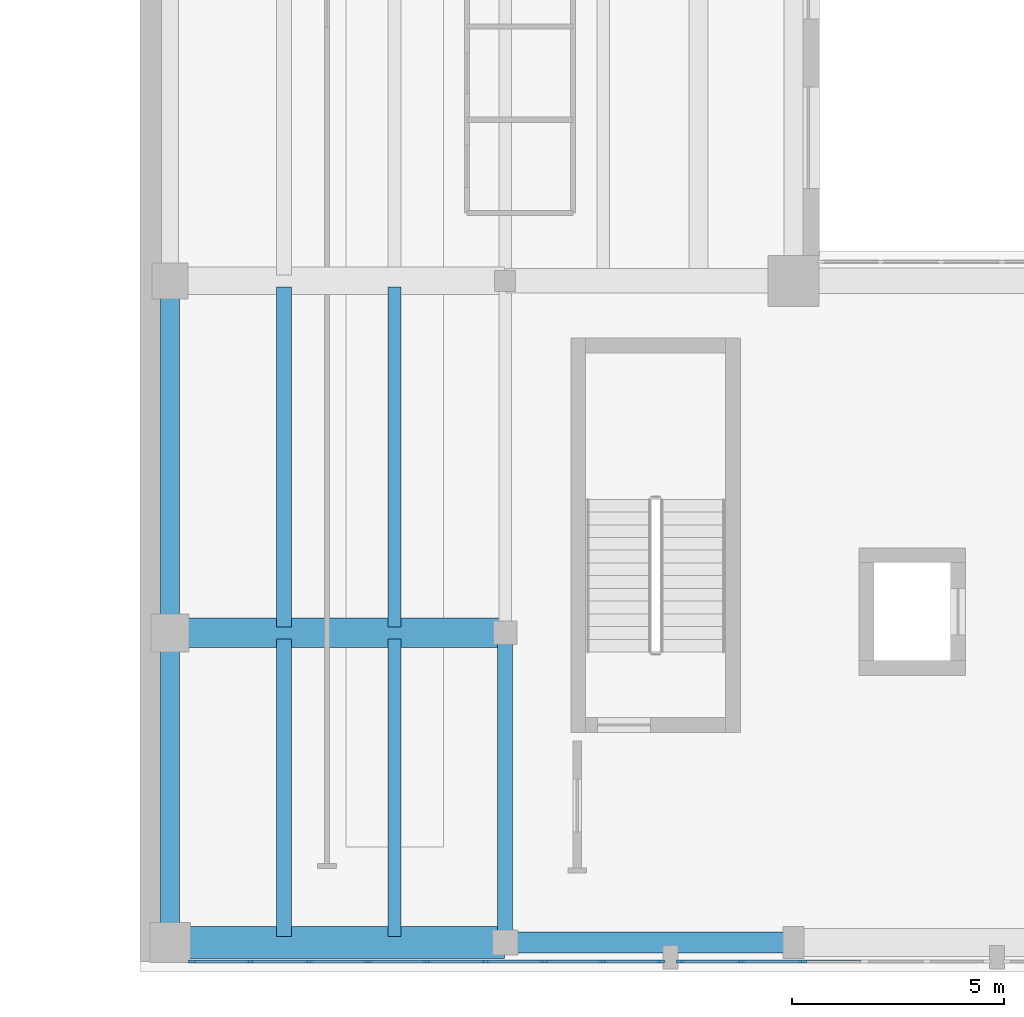
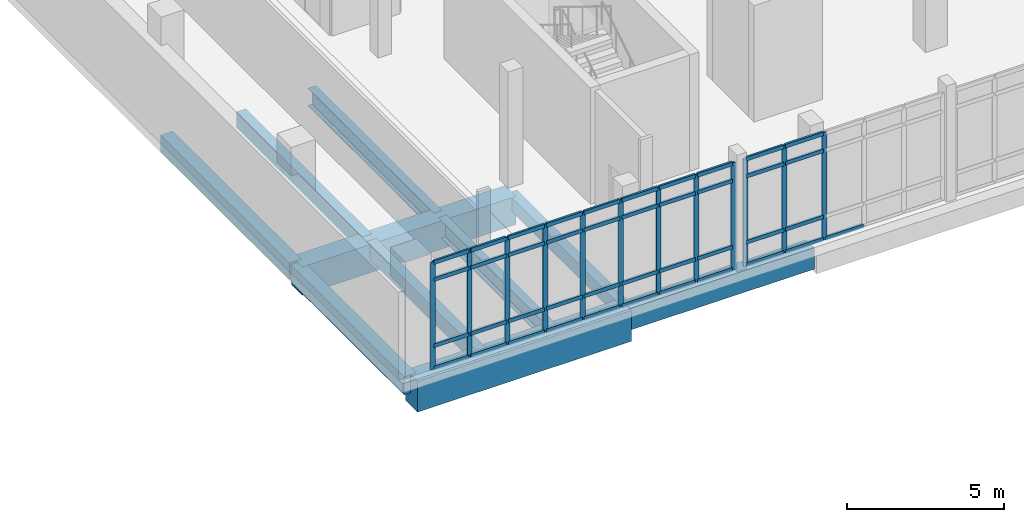
# One storey, part 16 of 89: 53 members, 10 beams, 2 elements without a shape of their own.
"""IFC4 building model written with IfcOpenShell, lengths in metres."""

from ifc_helpers import new_model, si_unit, direction, frame, origin, origin_2d, place, context, subcontext, project, spatial, rectangle, i_section, extrude, material, material_profile, profile_set, type_object, element, aggregate, save


model = new_model("IFC4")

# Units and contexts
model_context = context("Model", 3, precision=1e-05, world=origin(), true_north=direction((0.0, 1.0)))
body_context = subcontext(model_context, "Body", "Model", "MODEL_VIEW")
ifc_project = project(units=[si_unit("LENGTHUNIT", "METRE"), si_unit("AREAUNIT", "SQUARE_METRE"), si_unit("VOLUMEUNIT", "CUBIC_METRE"), si_unit("PLANEANGLEUNIT", "RADIAN"), si_unit("MASSUNIT", "GRAM", prefix="KILO")], contexts=[model_context])

# Site, building, storey
site_placement = place(None, origin())
site = spatial("IfcSite", under=ifc_project, at=site_placement, CompositionType="ELEMENT")
building_placement = place(site_placement, origin())
building = spatial("IfcBuilding", under=site, at=building_placement, Name="Soyqirgoq Riverine Aquarium", CompositionType="ELEMENT")
storey_placement = place(building_placement, frame((0.0, 0.0, 5.39990234375)))
storey = spatial("IfcBuildingStorey", under=building, at=storey_placement, Name="L02", CompositionType="ELEMENT", Elevation=5.39990234375)

# Beams
ifc_material_1 = material(Name="Concrete C40/50", Category="concrete")
ifc_material_profile_1 = material_profile(ifc_material_1, rectangle(XDim=0.35009765625, YDim=0.60009765625, at=origin_2d()), Name="RC 350x600")
ifc_profile_set_1 = profile_set([ifc_material_profile_1], Name="Concrete C40/50")
beam_type_1 = type_object("IfcBeamType", Name="Beam_RC_350x600", PredefinedType="JOIST", material=ifc_profile_set_1)
beam_1_placement = place(storey_placement, frame((117.385986328125, 2.340087890625, -0.64990234375), z_axis=(0.0, 1.0, 0.0), x_axis=(-1.0, 0.0, 0.0)))
element("IfcBeam", 1, at=beam_1_placement, inside=storey, type_object=beam_type_1, Name="V6 L02 Secondary Bay Joist 1126", PredefinedType="JOIST", context=body_context, shape_type="SweptSolid", body=[
    extrude(rectangle(XDim=0.35009765625, YDim=0.60009765625, at=origin_2d()), origin(), (0.0, 0.0, 1.0), 7.02001953125),
])
beam_2_placement = place(storey_placement, frame((117.385986328125, 9.639892578125, -0.64990234375), z_axis=(0.0, 1.0, 0.0), x_axis=(-1.0, 0.0, 0.0)))
element("IfcBeam", 2, at=beam_2_placement, inside=storey, type_object=beam_type_1, Name="V6 L02 Secondary Bay Joist 1134", PredefinedType="JOIST", context=body_context, shape_type="SweptSolid", body=[
    extrude(rectangle(XDim=0.35009765625, YDim=0.60009765625, at=origin_2d()), origin(), (0.0, 0.0, 1.0), 8.02001953125),
])
ifc_material_2 = material(Name="Concrete C40/50", Category="concrete")
ifc_material_profile_2 = material_profile(ifc_material_2, rectangle(XDim=0.449951171875, YDim=0.64990234375, at=origin_2d()), Name="RC 450x650")
ifc_profile_set_2 = profile_set([ifc_material_profile_2], Name="Concrete C40/50")
beam_type_2 = type_object("IfcBeamType", Name="Beam_RC_450x650", PredefinedType="BEAM", material=ifc_profile_set_2)
beam_3_placement = place(storey_placement, frame((114.699951171875, 9.550048828125, -0.6748046875), z_axis=(0.0, 1.0, 0.0), x_axis=(-1.0, 0.0, 0.0)))
element("IfcBeam", 3, at=beam_3_placement, inside=storey, type_object=beam_type_2, Name="V6 L02 North-South Frame Beam 1084", PredefinedType="BEAM", context=body_context, shape_type="SweptSolid", body=[
    extrude(rectangle(XDim=0.449951171875, YDim=0.64990234375, at=origin_2d()), origin(), (0.0, 0.0, 1.0), 8.199951171875),
])
ifc_material_3 = material(Name="Concrete C40/50", Category="concrete")
ifc_material_profile_3 = material_profile(ifc_material_3, rectangle(XDim=0.449951171875, YDim=0.699951171875, at=origin_2d()), Name="RC 450x700")
ifc_profile_set_3 = profile_set([ifc_material_profile_3], Name="Concrete C40/50")
beam_type_3 = type_object("IfcBeamType", Name="Beam_RC_450x700", PredefinedType="BEAM", material=ifc_profile_set_3)
beam_4_placement = place(storey_placement, frame((114.699951171875, 2.25, -0.699951171875), z_axis=(0.0, 1.0, 0.0), x_axis=(-1.0, 0.0, 0.0)))
element("IfcBeam", 4, at=beam_4_placement, inside=storey, type_object=beam_type_3, Name="V6 L02 North-South Frame Beam 1082", PredefinedType="BEAM", context=body_context, shape_type="SweptSolid", body=[
    extrude(rectangle(XDim=0.449951171875, YDim=0.699951171875, at=origin_2d()), origin(), (0.0, 0.0, 1.0), 7.199951171875),
])

# Curtain wall, members
ifc_material_4 = material(Name="Anodised aluminium thermally broken gallery curtain wall", Category="aluminium")
curtain_wall_type = type_object("IfcCurtainWallType", Name="CW_Pavilion_Ribbon", PredefinedType="NOTDEFINED", material=ifc_material_4)
curtain_wall_1_placement = place(storey_placement, origin())
curtain_wall_1 = element("IfcCurtainWall", 5, at=curtain_wall_1_placement, inside=storey, type_object=curtain_wall_type, Name="V6 L02 Curtain Wall 116", PredefinedType="NOTDEFINED")
ifc_material_5 = material(Name="Anodised aluminium 6063-T6", Category="aluminium")
ifc_material_profile_4 = material_profile(ifc_material_5, rectangle(XDim=0.06494140625, YDim=0.179931640625, at=origin_2d()), Name="ALU-M 65x180")
ifc_profile_set_4 = profile_set([ifc_material_profile_4], Name="Anodised aluminium 6063-T6")
member_type_1 = type_object("IfcMemberType", Name="CWMullion_65x180", PredefinedType="MULLION", material=ifc_profile_set_4)
member_1_placement = place(storey_placement, frame((129.618896484375, 1.75, 0.0), z_axis=(0.0, 0.0, 1.0), x_axis=(0.0, -1.0, 0.0)))
member_1 = element("IfcMember", 6, at=member_1_placement, type_object=member_type_1, Name="CW-05 mullion 4", PredefinedType="MULLION", context=body_context, shape_type="SweptSolid", body=[
    extrude(rectangle(XDim=0.06494140625, YDim=0.179931640625, at=origin_2d()), origin(), (0.0, 0.0, 1.0), 4.170166015625),
])
member_2_placement = place(storey_placement, frame((128.156982421875, 1.75, 0.0), z_axis=(0.0, 0.0, 1.0), x_axis=(0.0, -1.0, 0.0)))
member_2 = element("IfcMember", 7, at=member_2_placement, type_object=member_type_1, Name="CW-05 mullion 5", PredefinedType="MULLION", context=body_context, shape_type="SweptSolid", body=[
    extrude(rectangle(XDim=0.06494140625, YDim=0.179931640625, at=origin_2d()), origin(), (0.0, 0.0, 1.0), 4.170166015625),
])
member_3_placement = place(storey_placement, frame((126.7275390625, 1.75, 0.0), z_axis=(0.0, 0.0, 1.0), x_axis=(0.0, -1.0, 0.0)))
member_3 = element("IfcMember", 8, at=member_3_placement, type_object=member_type_1, Name="CW-05 mullion 6", PredefinedType="MULLION", context=body_context, shape_type="SweptSolid", body=[
    extrude(rectangle(XDim=0.06494140625, YDim=0.179931640625, at=origin_2d()), origin(), (0.0, 0.0, 1.0), 4.170166015625),
])

curtain_wall_2_placement = place(storey_placement, origin())
curtain_wall_2 = element("IfcCurtainWall", 9, at=curtain_wall_2_placement, inside=storey, type_object=curtain_wall_type, Name="V6 L02 Curtain Wall 117", PredefinedType="NOTDEFINED")
member_4_placement = place(storey_placement, frame((126.2724609375, 1.75, 0.0), z_axis=(0.0, 0.0, 1.0), x_axis=(0.0, -1.0, 0.0)))
member_4 = element("IfcMember", 10, at=member_4_placement, type_object=member_type_1, Name="CW-05 mullion 1", PredefinedType="MULLION", context=body_context, shape_type="SweptSolid", body=[
    extrude(rectangle(XDim=0.06494140625, YDim=0.179931640625, at=origin_2d()), origin(), (0.0, 0.0, 1.0), 4.170166015625),
])
member_5_placement = place(storey_placement, frame((124.916259765625, 1.75, 0.0), z_axis=(0.0, 0.0, 1.0), x_axis=(0.0, -1.0, 0.0)))
member_5 = element("IfcMember", 11, at=member_5_placement, type_object=member_type_1, Name="CW-05 mullion 2", PredefinedType="MULLION", context=body_context, shape_type="SweptSolid", body=[
    extrude(rectangle(XDim=0.06494140625, YDim=0.179931640625, at=origin_2d()), origin(), (0.0, 0.0, 1.0), 4.170166015625),
])
member_6_placement = place(storey_placement, frame((123.527587890625, 1.75, 0.0), z_axis=(0.0, 0.0, 1.0), x_axis=(0.0, -1.0, 0.0)))
member_6 = element("IfcMember", 12, at=member_6_placement, type_object=member_type_1, Name="CW-05 mullion 3", PredefinedType="MULLION", context=body_context, shape_type="SweptSolid", body=[
    extrude(rectangle(XDim=0.06494140625, YDim=0.179931640625, at=origin_2d()), origin(), (0.0, 0.0, 1.0), 4.170166015625),
])
member_7_placement = place(storey_placement, frame((122.138671875, 1.75, 0.0), z_axis=(0.0, 0.0, 1.0), x_axis=(0.0, -1.0, 0.0)))
member_7 = element("IfcMember", 13, at=member_7_placement, type_object=member_type_1, Name="CW-05 mullion 4", PredefinedType="MULLION", context=body_context, shape_type="SweptSolid", body=[
    extrude(rectangle(XDim=0.06494140625, YDim=0.179931640625, at=origin_2d()), origin(), (0.0, 0.0, 1.0), 4.170166015625),
])
member_8_placement = place(storey_placement, frame((120.75, 1.75, 0.0), z_axis=(0.0, 0.0, 1.0), x_axis=(0.0, -1.0, 0.0)))
member_8 = element("IfcMember", 14, at=member_8_placement, type_object=member_type_1, Name="CW-05 mullion 5", PredefinedType="MULLION", context=body_context, shape_type="SweptSolid", body=[
    extrude(rectangle(XDim=0.06494140625, YDim=0.179931640625, at=origin_2d()), origin(), (0.0, 0.0, 1.0), 4.170166015625),
])
member_9_placement = place(storey_placement, frame((119.361328125, 1.75, 0.0), z_axis=(0.0, 0.0, 1.0), x_axis=(0.0, -1.0, 0.0)))
member_9 = element("IfcMember", 15, at=member_9_placement, type_object=member_type_1, Name="CW-05 mullion 6", PredefinedType="MULLION", context=body_context, shape_type="SweptSolid", body=[
    extrude(rectangle(XDim=0.06494140625, YDim=0.179931640625, at=origin_2d()), origin(), (0.0, 0.0, 1.0), 4.170166015625),
])
member_10_placement = place(storey_placement, frame((117.972412109375, 1.75, 0.0), z_axis=(0.0, 0.0, 1.0), x_axis=(0.0, -1.0, 0.0)))
member_10 = element("IfcMember", 16, at=member_10_placement, type_object=member_type_1, Name="CW-05 mullion 7", PredefinedType="MULLION", context=body_context, shape_type="SweptSolid", body=[
    extrude(rectangle(XDim=0.06494140625, YDim=0.179931640625, at=origin_2d()), origin(), (0.0, 0.0, 1.0), 4.170166015625),
])
member_11_placement = place(storey_placement, frame((116.583740234375, 1.75, 0.0), z_axis=(0.0, 0.0, 1.0), x_axis=(0.0, -1.0, 0.0)))
member_11 = element("IfcMember", 17, at=member_11_placement, type_object=member_type_1, Name="CW-05 mullion 8", PredefinedType="MULLION", context=body_context, shape_type="SweptSolid", body=[
    extrude(rectangle(XDim=0.06494140625, YDim=0.179931640625, at=origin_2d()), origin(), (0.0, 0.0, 1.0), 4.170166015625),
])
member_12_placement = place(storey_placement, frame((115.2275390625, 1.75, 0.0), z_axis=(0.0, 0.0, 1.0), x_axis=(0.0, -1.0, 0.0)))
member_12 = element("IfcMember", 18, at=member_12_placement, type_object=member_type_1, Name="CW-05 mullion 9", PredefinedType="MULLION", context=body_context, shape_type="SweptSolid", body=[
    extrude(rectangle(XDim=0.06494140625, YDim=0.179931640625, at=origin_2d()), origin(), (0.0, 0.0, 1.0), 4.170166015625),
])

# Member
ifc_material_6 = material(Name="Anodised aluminium 6063-T6", Category="aluminium")
ifc_material_profile_5 = material_profile(ifc_material_6, rectangle(XDim=0.074951171875, YDim=0.14990234375, at=origin_2d()), Name="ALU-T 75x150")
ifc_profile_set_5 = profile_set([ifc_material_profile_5], Name="Anodised aluminium 6063-T6")
member_type_2 = type_object("IfcMemberType", Name="CWTransom_75x150", PredefinedType="USERDEFINED", material=ifc_profile_set_5)
member_13_placement = place(storey_placement, frame((131.048583984375, 1.75, 0.03759765625), z_axis=(-1.0, 0.0, 0.0), x_axis=(0.0, -1.0, 0.0)))
member_13 = element("IfcMember", 19, at=member_13_placement, type_object=member_type_2, Name="CW-05 transom 3.1", ObjectType="TRANSOM", PredefinedType="USERDEFINED", context=body_context, shape_type="SweptSolid", body=[
    extrude(rectangle(XDim=0.074951171875, YDim=0.14990234375, at=origin_2d()), origin(), (0.0, 0.0, 1.0), 1.39697265625),
])

member_14_placement = place(storey_placement, frame((129.58642578125, 1.75, 0.03759765625), z_axis=(-1.0, 0.0, 0.0), x_axis=(0.0, -1.0, 0.0)))
member_14 = element("IfcMember", 20, at=member_14_placement, type_object=member_type_2, Name="CW-05 transom 4.1", ObjectType="TRANSOM", PredefinedType="USERDEFINED", context=body_context, shape_type="SweptSolid", body=[
    extrude(rectangle(XDim=0.074951171875, YDim=0.14990234375, at=origin_2d()), origin(), (0.0, 0.0, 1.0), 1.39697265625),
])

member_15_placement = place(storey_placement, frame((129.58642578125, 1.75, 0.900146484375), z_axis=(-1.0, 0.0, 0.0), x_axis=(0.0, -1.0, 0.0)))
member_15 = element("IfcMember", 21, at=member_15_placement, type_object=member_type_2, Name="CW-05 transom 4.2", ObjectType="TRANSOM", PredefinedType="USERDEFINED", context=body_context, shape_type="SweptSolid", body=[
    extrude(rectangle(XDim=0.074951171875, YDim=0.14990234375, at=origin_2d()), origin(), (0.0, 0.0, 1.0), 1.39697265625),
])

member_16_placement = place(storey_placement, frame((129.58642578125, 1.75, 3.47021484375), z_axis=(-1.0, 0.0, 0.0), x_axis=(0.0, -1.0, 0.0)))
member_16 = element("IfcMember", 22, at=member_16_placement, type_object=member_type_2, Name="CW-05 transom 4.3", ObjectType="TRANSOM", PredefinedType="USERDEFINED", context=body_context, shape_type="SweptSolid", body=[
    extrude(rectangle(XDim=0.074951171875, YDim=0.14990234375, at=origin_2d()), origin(), (0.0, 0.0, 1.0), 1.39697265625),
])

member_17_placement = place(storey_placement, frame((129.58642578125, 1.75, 4.132568359375), z_axis=(-1.0, 0.0, 0.0), x_axis=(0.0, -1.0, 0.0)))
member_17 = element("IfcMember", 23, at=member_17_placement, type_object=member_type_2, Name="CW-05 transom 4.4", ObjectType="TRANSOM", PredefinedType="USERDEFINED", context=body_context, shape_type="SweptSolid", body=[
    extrude(rectangle(XDim=0.074951171875, YDim=0.14990234375, at=origin_2d()), origin(), (0.0, 0.0, 1.0), 1.39697265625),
])

member_18_placement = place(storey_placement, frame((128.12451171875, 1.75, 0.03759765625), z_axis=(-1.0, 0.0, 0.0), x_axis=(0.0, -1.0, 0.0)))
member_18 = element("IfcMember", 24, at=member_18_placement, type_object=member_type_2, Name="CW-05 transom 5.1", ObjectType="TRANSOM", PredefinedType="USERDEFINED", context=body_context, shape_type="SweptSolid", body=[
    extrude(rectangle(XDim=0.074951171875, YDim=0.14990234375, at=origin_2d()), origin(), (0.0, 0.0, 1.0), 1.364501953125),
])

member_19_placement = place(storey_placement, frame((128.12451171875, 1.75, 0.900146484375), z_axis=(-1.0, 0.0, 0.0), x_axis=(0.0, -1.0, 0.0)))
member_19 = element("IfcMember", 25, at=member_19_placement, type_object=member_type_2, Name="CW-05 transom 5.2", ObjectType="TRANSOM", PredefinedType="USERDEFINED", context=body_context, shape_type="SweptSolid", body=[
    extrude(rectangle(XDim=0.074951171875, YDim=0.14990234375, at=origin_2d()), origin(), (0.0, 0.0, 1.0), 1.364501953125),
])

member_20_placement = place(storey_placement, frame((128.12451171875, 1.75, 3.47021484375), z_axis=(-1.0, 0.0, 0.0), x_axis=(0.0, -1.0, 0.0)))
member_20 = element("IfcMember", 26, at=member_20_placement, type_object=member_type_2, Name="CW-05 transom 5.3", ObjectType="TRANSOM", PredefinedType="USERDEFINED", context=body_context, shape_type="SweptSolid", body=[
    extrude(rectangle(XDim=0.074951171875, YDim=0.14990234375, at=origin_2d()), origin(), (0.0, 0.0, 1.0), 1.364501953125),
])

member_21_placement = place(storey_placement, frame((128.12451171875, 1.75, 4.132568359375), z_axis=(-1.0, 0.0, 0.0), x_axis=(0.0, -1.0, 0.0)))
member_21 = element("IfcMember", 27, at=member_21_placement, type_object=member_type_2, Name="CW-05 transom 5.4", ObjectType="TRANSOM", PredefinedType="USERDEFINED", context=body_context, shape_type="SweptSolid", body=[
    extrude(rectangle(XDim=0.074951171875, YDim=0.14990234375, at=origin_2d()), origin(), (0.0, 0.0, 1.0), 1.364501953125),
])

aggregate(curtain_wall_1, [member_1, member_2, member_3, member_13, member_14, member_15, member_16, member_17, member_18, member_19, member_20, member_21])

member_22_placement = place(storey_placement, frame((126.239990234375, 1.75, 0.03759765625), z_axis=(-1.0, 0.0, 0.0), x_axis=(0.0, -1.0, 0.0)))
member_22 = element("IfcMember", 28, at=member_22_placement, type_object=member_type_2, Name="CW-05 transom 1.1", ObjectType="TRANSOM", PredefinedType="USERDEFINED", context=body_context, shape_type="SweptSolid", body=[
    extrude(rectangle(XDim=0.074951171875, YDim=0.14990234375, at=origin_2d()), origin(), (0.0, 0.0, 1.0), 1.291259765625),
])

member_23_placement = place(storey_placement, frame((126.239990234375, 1.75, 0.900146484375), z_axis=(-1.0, 0.0, 0.0), x_axis=(0.0, -1.0, 0.0)))
member_23 = element("IfcMember", 29, at=member_23_placement, type_object=member_type_2, Name="CW-05 transom 1.2", ObjectType="TRANSOM", PredefinedType="USERDEFINED", context=body_context, shape_type="SweptSolid", body=[
    extrude(rectangle(XDim=0.074951171875, YDim=0.14990234375, at=origin_2d()), origin(), (0.0, 0.0, 1.0), 1.291259765625),
])

member_24_placement = place(storey_placement, frame((126.239990234375, 1.75, 3.47021484375), z_axis=(-1.0, 0.0, 0.0), x_axis=(0.0, -1.0, 0.0)))
member_24 = element("IfcMember", 30, at=member_24_placement, type_object=member_type_2, Name="CW-05 transom 1.3", ObjectType="TRANSOM", PredefinedType="USERDEFINED", context=body_context, shape_type="SweptSolid", body=[
    extrude(rectangle(XDim=0.074951171875, YDim=0.14990234375, at=origin_2d()), origin(), (0.0, 0.0, 1.0), 1.291259765625),
])

member_25_placement = place(storey_placement, frame((126.239990234375, 1.75, 4.132568359375), z_axis=(-1.0, 0.0, 0.0), x_axis=(0.0, -1.0, 0.0)))
member_25 = element("IfcMember", 31, at=member_25_placement, type_object=member_type_2, Name="CW-05 transom 1.4", ObjectType="TRANSOM", PredefinedType="USERDEFINED", context=body_context, shape_type="SweptSolid", body=[
    extrude(rectangle(XDim=0.074951171875, YDim=0.14990234375, at=origin_2d()), origin(), (0.0, 0.0, 1.0), 1.291259765625),
])

member_26_placement = place(storey_placement, frame((124.8837890625, 1.75, 0.03759765625), z_axis=(-1.0, 0.0, 0.0), x_axis=(0.0, -1.0, 0.0)))
member_26 = element("IfcMember", 32, at=member_26_placement, type_object=member_type_2, Name="CW-05 transom 2.1", ObjectType="TRANSOM", PredefinedType="USERDEFINED", context=body_context, shape_type="SweptSolid", body=[
    extrude(rectangle(XDim=0.074951171875, YDim=0.14990234375, at=origin_2d()), origin(), (0.0, 0.0, 1.0), 1.32373046875),
])

member_27_placement = place(storey_placement, frame((124.8837890625, 1.75, 0.900146484375), z_axis=(-1.0, 0.0, 0.0), x_axis=(0.0, -1.0, 0.0)))
member_27 = element("IfcMember", 33, at=member_27_placement, type_object=member_type_2, Name="CW-05 transom 2.2", ObjectType="TRANSOM", PredefinedType="USERDEFINED", context=body_context, shape_type="SweptSolid", body=[
    extrude(rectangle(XDim=0.074951171875, YDim=0.14990234375, at=origin_2d()), origin(), (0.0, 0.0, 1.0), 1.32373046875),
])

member_28_placement = place(storey_placement, frame((124.8837890625, 1.75, 3.47021484375), z_axis=(-1.0, 0.0, 0.0), x_axis=(0.0, -1.0, 0.0)))
member_28 = element("IfcMember", 34, at=member_28_placement, type_object=member_type_2, Name="CW-05 transom 2.3", ObjectType="TRANSOM", PredefinedType="USERDEFINED", context=body_context, shape_type="SweptSolid", body=[
    extrude(rectangle(XDim=0.074951171875, YDim=0.14990234375, at=origin_2d()), origin(), (0.0, 0.0, 1.0), 1.32373046875),
])

member_29_placement = place(storey_placement, frame((124.8837890625, 1.75, 4.132568359375), z_axis=(-1.0, 0.0, 0.0), x_axis=(0.0, -1.0, 0.0)))
member_29 = element("IfcMember", 35, at=member_29_placement, type_object=member_type_2, Name="CW-05 transom 2.4", ObjectType="TRANSOM", PredefinedType="USERDEFINED", context=body_context, shape_type="SweptSolid", body=[
    extrude(rectangle(XDim=0.074951171875, YDim=0.14990234375, at=origin_2d()), origin(), (0.0, 0.0, 1.0), 1.32373046875),
])

member_30_placement = place(storey_placement, frame((123.4951171875, 1.75, 0.03759765625), z_axis=(-1.0, 0.0, 0.0), x_axis=(0.0, -1.0, 0.0)))
member_30 = element("IfcMember", 36, at=member_30_placement, type_object=member_type_2, Name="CW-05 transom 3.1", ObjectType="TRANSOM", PredefinedType="USERDEFINED", context=body_context, shape_type="SweptSolid", body=[
    extrude(rectangle(XDim=0.074951171875, YDim=0.14990234375, at=origin_2d()), origin(), (0.0, 0.0, 1.0), 1.323974609375),
])

member_31_placement = place(storey_placement, frame((123.4951171875, 1.75, 0.900146484375), z_axis=(-1.0, 0.0, 0.0), x_axis=(0.0, -1.0, 0.0)))
member_31 = element("IfcMember", 37, at=member_31_placement, type_object=member_type_2, Name="CW-05 transom 3.2", ObjectType="TRANSOM", PredefinedType="USERDEFINED", context=body_context, shape_type="SweptSolid", body=[
    extrude(rectangle(XDim=0.074951171875, YDim=0.14990234375, at=origin_2d()), origin(), (0.0, 0.0, 1.0), 1.323974609375),
])

member_32_placement = place(storey_placement, frame((123.4951171875, 1.75, 3.47021484375), z_axis=(-1.0, 0.0, 0.0), x_axis=(0.0, -1.0, 0.0)))
member_32 = element("IfcMember", 38, at=member_32_placement, type_object=member_type_2, Name="CW-05 transom 3.3", ObjectType="TRANSOM", PredefinedType="USERDEFINED", context=body_context, shape_type="SweptSolid", body=[
    extrude(rectangle(XDim=0.074951171875, YDim=0.14990234375, at=origin_2d()), origin(), (0.0, 0.0, 1.0), 1.323974609375),
])

member_33_placement = place(storey_placement, frame((123.4951171875, 1.75, 4.132568359375), z_axis=(-1.0, 0.0, 0.0), x_axis=(0.0, -1.0, 0.0)))
member_33 = element("IfcMember", 39, at=member_33_placement, type_object=member_type_2, Name="CW-05 transom 3.4", ObjectType="TRANSOM", PredefinedType="USERDEFINED", context=body_context, shape_type="SweptSolid", body=[
    extrude(rectangle(XDim=0.074951171875, YDim=0.14990234375, at=origin_2d()), origin(), (0.0, 0.0, 1.0), 1.323974609375),
])

member_34_placement = place(storey_placement, frame((122.106201171875, 1.75, 0.03759765625), z_axis=(-1.0, 0.0, 0.0), x_axis=(0.0, -1.0, 0.0)))
member_34 = element("IfcMember", 40, at=member_34_placement, type_object=member_type_2, Name="CW-05 transom 4.1", ObjectType="TRANSOM", PredefinedType="USERDEFINED", context=body_context, shape_type="SweptSolid", body=[
    extrude(rectangle(XDim=0.074951171875, YDim=0.14990234375, at=origin_2d()), origin(), (0.0, 0.0, 1.0), 1.32373046875),
])

member_35_placement = place(storey_placement, frame((122.106201171875, 1.75, 0.900146484375), z_axis=(-1.0, 0.0, 0.0), x_axis=(0.0, -1.0, 0.0)))
member_35 = element("IfcMember", 41, at=member_35_placement, type_object=member_type_2, Name="CW-05 transom 4.2", ObjectType="TRANSOM", PredefinedType="USERDEFINED", context=body_context, shape_type="SweptSolid", body=[
    extrude(rectangle(XDim=0.074951171875, YDim=0.14990234375, at=origin_2d()), origin(), (0.0, 0.0, 1.0), 1.32373046875),
])

member_36_placement = place(storey_placement, frame((122.106201171875, 1.75, 3.47021484375), z_axis=(-1.0, 0.0, 0.0), x_axis=(0.0, -1.0, 0.0)))
member_36 = element("IfcMember", 42, at=member_36_placement, type_object=member_type_2, Name="CW-05 transom 4.3", ObjectType="TRANSOM", PredefinedType="USERDEFINED", context=body_context, shape_type="SweptSolid", body=[
    extrude(rectangle(XDim=0.074951171875, YDim=0.14990234375, at=origin_2d()), origin(), (0.0, 0.0, 1.0), 1.32373046875),
])

member_37_placement = place(storey_placement, frame((122.106201171875, 1.75, 4.132568359375), z_axis=(-1.0, 0.0, 0.0), x_axis=(0.0, -1.0, 0.0)))
member_37 = element("IfcMember", 43, at=member_37_placement, type_object=member_type_2, Name="CW-05 transom 4.4", ObjectType="TRANSOM", PredefinedType="USERDEFINED", context=body_context, shape_type="SweptSolid", body=[
    extrude(rectangle(XDim=0.074951171875, YDim=0.14990234375, at=origin_2d()), origin(), (0.0, 0.0, 1.0), 1.32373046875),
])

member_38_placement = place(storey_placement, frame((120.717529296875, 1.75, 0.03759765625), z_axis=(-1.0, 0.0, 0.0), x_axis=(0.0, -1.0, 0.0)))
member_38 = element("IfcMember", 44, at=member_38_placement, type_object=member_type_2, Name="CW-05 transom 5.1", ObjectType="TRANSOM", PredefinedType="USERDEFINED", context=body_context, shape_type="SweptSolid", body=[
    extrude(rectangle(XDim=0.074951171875, YDim=0.14990234375, at=origin_2d()), origin(), (0.0, 0.0, 1.0), 1.32373046875),
])

member_39_placement = place(storey_placement, frame((120.717529296875, 1.75, 0.900146484375), z_axis=(-1.0, 0.0, 0.0), x_axis=(0.0, -1.0, 0.0)))
member_39 = element("IfcMember", 45, at=member_39_placement, type_object=member_type_2, Name="CW-05 transom 5.2", ObjectType="TRANSOM", PredefinedType="USERDEFINED", context=body_context, shape_type="SweptSolid", body=[
    extrude(rectangle(XDim=0.074951171875, YDim=0.14990234375, at=origin_2d()), origin(), (0.0, 0.0, 1.0), 1.32373046875),
])

member_40_placement = place(storey_placement, frame((120.717529296875, 1.75, 3.47021484375), z_axis=(-1.0, 0.0, 0.0), x_axis=(0.0, -1.0, 0.0)))
member_40 = element("IfcMember", 46, at=member_40_placement, type_object=member_type_2, Name="CW-05 transom 5.3", ObjectType="TRANSOM", PredefinedType="USERDEFINED", context=body_context, shape_type="SweptSolid", body=[
    extrude(rectangle(XDim=0.074951171875, YDim=0.14990234375, at=origin_2d()), origin(), (0.0, 0.0, 1.0), 1.32373046875),
])

member_41_placement = place(storey_placement, frame((120.717529296875, 1.75, 4.132568359375), z_axis=(-1.0, 0.0, 0.0), x_axis=(0.0, -1.0, 0.0)))
member_41 = element("IfcMember", 47, at=member_41_placement, type_object=member_type_2, Name="CW-05 transom 5.4", ObjectType="TRANSOM", PredefinedType="USERDEFINED", context=body_context, shape_type="SweptSolid", body=[
    extrude(rectangle(XDim=0.074951171875, YDim=0.14990234375, at=origin_2d()), origin(), (0.0, 0.0, 1.0), 1.32373046875),
])

member_42_placement = place(storey_placement, frame((119.328857421875, 1.75, 0.03759765625), z_axis=(-1.0, 0.0, 0.0), x_axis=(0.0, -1.0, 0.0)))
member_42 = element("IfcMember", 48, at=member_42_placement, type_object=member_type_2, Name="CW-05 transom 6.1", ObjectType="TRANSOM", PredefinedType="USERDEFINED", context=body_context, shape_type="SweptSolid", body=[
    extrude(rectangle(XDim=0.074951171875, YDim=0.14990234375, at=origin_2d()), origin(), (0.0, 0.0, 1.0), 1.323974609375),
])

member_43_placement = place(storey_placement, frame((119.328857421875, 1.75, 0.900146484375), z_axis=(-1.0, 0.0, 0.0), x_axis=(0.0, -1.0, 0.0)))
member_43 = element("IfcMember", 49, at=member_43_placement, type_object=member_type_2, Name="CW-05 transom 6.2", ObjectType="TRANSOM", PredefinedType="USERDEFINED", context=body_context, shape_type="SweptSolid", body=[
    extrude(rectangle(XDim=0.074951171875, YDim=0.14990234375, at=origin_2d()), origin(), (0.0, 0.0, 1.0), 1.323974609375),
])

member_44_placement = place(storey_placement, frame((119.328857421875, 1.75, 3.47021484375), z_axis=(-1.0, 0.0, 0.0), x_axis=(0.0, -1.0, 0.0)))
member_44 = element("IfcMember", 50, at=member_44_placement, type_object=member_type_2, Name="CW-05 transom 6.3", ObjectType="TRANSOM", PredefinedType="USERDEFINED", context=body_context, shape_type="SweptSolid", body=[
    extrude(rectangle(XDim=0.074951171875, YDim=0.14990234375, at=origin_2d()), origin(), (0.0, 0.0, 1.0), 1.323974609375),
])

member_45_placement = place(storey_placement, frame((119.328857421875, 1.75, 4.132568359375), z_axis=(-1.0, 0.0, 0.0), x_axis=(0.0, -1.0, 0.0)))
member_45 = element("IfcMember", 51, at=member_45_placement, type_object=member_type_2, Name="CW-05 transom 6.4", ObjectType="TRANSOM", PredefinedType="USERDEFINED", context=body_context, shape_type="SweptSolid", body=[
    extrude(rectangle(XDim=0.074951171875, YDim=0.14990234375, at=origin_2d()), origin(), (0.0, 0.0, 1.0), 1.323974609375),
])

member_46_placement = place(storey_placement, frame((117.93994140625, 1.75, 0.03759765625), z_axis=(-1.0, 0.0, 0.0), x_axis=(0.0, -1.0, 0.0)))
member_46 = element("IfcMember", 52, at=member_46_placement, type_object=member_type_2, Name="CW-05 transom 7.1", ObjectType="TRANSOM", PredefinedType="USERDEFINED", context=body_context, shape_type="SweptSolid", body=[
    extrude(rectangle(XDim=0.074951171875, YDim=0.14990234375, at=origin_2d()), origin(), (0.0, 0.0, 1.0), 1.32373046875),
])

member_47_placement = place(storey_placement, frame((117.93994140625, 1.75, 0.900146484375), z_axis=(-1.0, 0.0, 0.0), x_axis=(0.0, -1.0, 0.0)))
member_47 = element("IfcMember", 53, at=member_47_placement, type_object=member_type_2, Name="CW-05 transom 7.2", ObjectType="TRANSOM", PredefinedType="USERDEFINED", context=body_context, shape_type="SweptSolid", body=[
    extrude(rectangle(XDim=0.074951171875, YDim=0.14990234375, at=origin_2d()), origin(), (0.0, 0.0, 1.0), 1.32373046875),
])

member_48_placement = place(storey_placement, frame((117.93994140625, 1.75, 3.47021484375), z_axis=(-1.0, 0.0, 0.0), x_axis=(0.0, -1.0, 0.0)))
member_48 = element("IfcMember", 54, at=member_48_placement, type_object=member_type_2, Name="CW-05 transom 7.3", ObjectType="TRANSOM", PredefinedType="USERDEFINED", context=body_context, shape_type="SweptSolid", body=[
    extrude(rectangle(XDim=0.074951171875, YDim=0.14990234375, at=origin_2d()), origin(), (0.0, 0.0, 1.0), 1.32373046875),
])

member_49_placement = place(storey_placement, frame((117.93994140625, 1.75, 4.132568359375), z_axis=(-1.0, 0.0, 0.0), x_axis=(0.0, -1.0, 0.0)))
member_49 = element("IfcMember", 55, at=member_49_placement, type_object=member_type_2, Name="CW-05 transom 7.4", ObjectType="TRANSOM", PredefinedType="USERDEFINED", context=body_context, shape_type="SweptSolid", body=[
    extrude(rectangle(XDim=0.074951171875, YDim=0.14990234375, at=origin_2d()), origin(), (0.0, 0.0, 1.0), 1.32373046875),
])

member_50_placement = place(storey_placement, frame((116.55126953125, 1.75, 0.03759765625), z_axis=(-1.0, 0.0, 0.0), x_axis=(0.0, -1.0, 0.0)))
member_50 = element("IfcMember", 56, at=member_50_placement, type_object=member_type_2, Name="CW-05 transom 8.1", ObjectType="TRANSOM", PredefinedType="USERDEFINED", context=body_context, shape_type="SweptSolid", body=[
    extrude(rectangle(XDim=0.074951171875, YDim=0.14990234375, at=origin_2d()), origin(), (0.0, 0.0, 1.0), 1.291259765625),
])

member_51_placement = place(storey_placement, frame((116.55126953125, 1.75, 0.900146484375), z_axis=(-1.0, 0.0, 0.0), x_axis=(0.0, -1.0, 0.0)))
member_51 = element("IfcMember", 57, at=member_51_placement, type_object=member_type_2, Name="CW-05 transom 8.2", ObjectType="TRANSOM", PredefinedType="USERDEFINED", context=body_context, shape_type="SweptSolid", body=[
    extrude(rectangle(XDim=0.074951171875, YDim=0.14990234375, at=origin_2d()), origin(), (0.0, 0.0, 1.0), 1.291259765625),
])

member_52_placement = place(storey_placement, frame((116.55126953125, 1.75, 3.47021484375), z_axis=(-1.0, 0.0, 0.0), x_axis=(0.0, -1.0, 0.0)))
member_52 = element("IfcMember", 58, at=member_52_placement, type_object=member_type_2, Name="CW-05 transom 8.3", ObjectType="TRANSOM", PredefinedType="USERDEFINED", context=body_context, shape_type="SweptSolid", body=[
    extrude(rectangle(XDim=0.074951171875, YDim=0.14990234375, at=origin_2d()), origin(), (0.0, 0.0, 1.0), 1.291259765625),
])

member_53_placement = place(storey_placement, frame((116.55126953125, 1.75, 4.132568359375), z_axis=(-1.0, 0.0, 0.0), x_axis=(0.0, -1.0, 0.0)))
member_53 = element("IfcMember", 59, at=member_53_placement, type_object=member_type_2, Name="CW-05 transom 8.4", ObjectType="TRANSOM", PredefinedType="USERDEFINED", context=body_context, shape_type="SweptSolid", body=[
    extrude(rectangle(XDim=0.074951171875, YDim=0.14990234375, at=origin_2d()), origin(), (0.0, 0.0, 1.0), 1.291259765625),
])

aggregate(curtain_wall_2, [member_4, member_5, member_6, member_7, member_8, member_9, member_10, member_11, member_12, member_22, member_23, member_24, member_25, member_26, member_27, member_28, member_29, member_30, member_31, member_32, member_33, member_34, member_35, member_36, member_37, member_38, member_39, member_40, member_41, member_42, member_43, member_44, member_45, member_46, member_47, member_48, member_49, member_50, member_51, member_52, member_53])

# Beams
ifc_material_7 = material(Name="Concrete C40/50", Category="concrete")
ifc_material_profile_6 = material_profile(ifc_material_7, rectangle(XDim=0.5, YDim=0.85009765625, at=origin_2d()), Name="RC 500x850")
ifc_profile_set_6 = profile_set([ifc_material_profile_6], Name="Concrete C40/50")
beam_type_4 = type_object("IfcBeamType", Name="Girder_RC_500x850", PredefinedType="BEAM", material=ifc_profile_set_6)
beam_5_placement = place(storey_placement, frame((122.6201171875, 2.199951171875, -0.77490234375), z_axis=(1.0, 0.0, 0.0), x_axis=(0.0, 1.0, 0.0)))
element("IfcBeam", 60, at=beam_5_placement, inside=storey, type_object=beam_type_4, Name="V6 L02 East-West Frame Girder 1096", PredefinedType="BEAM", context=body_context, shape_type="SweptSolid", body=[
    extrude(rectangle(XDim=0.5, YDim=0.85009765625, at=origin_2d()), origin(), (0.0, 0.0, 1.0), 6.759765625),
])
ifc_material_8 = material(Name="Concrete C40/50", Category="concrete")
ifc_material_profile_7 = material_profile(ifc_material_8, rectangle(XDim=0.699951171875, YDim=1.10009765625, at=origin_2d()), Name="RC 700x1100")
ifc_profile_set_7 = profile_set([ifc_material_profile_7], Name="Concrete C40/50")
beam_type_5 = type_object("IfcBeamType", Name="Girder_RC_700x1100", PredefinedType="BEAM", material=ifc_profile_set_7)
beam_6_placement = place(storey_placement, frame((114.719970703125, 9.5, -0.89990234375), z_axis=(1.0, 0.0, 0.0), x_axis=(0.0, 1.0, 0.0)))
element("IfcBeam", 61, at=beam_6_placement, inside=storey, type_object=beam_type_5, Name="V6 L02 East-West Frame Girder 1085", PredefinedType="BEAM", context=body_context, shape_type="SweptSolid", body=[
    extrude(rectangle(XDim=0.699951171875, YDim=1.10009765625, at=origin_2d()), origin(), (0.0, 0.0, 1.0), 7.860107421875),
])
ifc_material_9 = material(Name="Concrete C40/50", Category="concrete")
ifc_material_profile_8 = material_profile(ifc_material_9, rectangle(XDim=0.75, YDim=1.199951171875, at=origin_2d()), Name="RC 750x1200")
ifc_profile_set_8 = profile_set([ifc_material_profile_8], Name="Concrete C40/50")
beam_type_6 = type_object("IfcBeamType", Name="Girder_RC_750x1200", PredefinedType="BEAM", material=ifc_profile_set_8)
beam_7_placement = place(storey_placement, frame((114.719970703125, 2.199951171875, -0.949951171875), z_axis=(1.0, 0.0, 0.0), x_axis=(0.0, 1.0, 0.0)))
element("IfcBeam", 62, at=beam_7_placement, inside=storey, type_object=beam_type_6, Name="V6 L02 East-West Frame Girder 1083", PredefinedType="BEAM", context=body_context, shape_type="SweptSolid", body=[
    extrude(rectangle(XDim=0.75, YDim=1.199951171875, at=origin_2d()), origin(), (0.0, 0.0, 1.0), 7.860107421875),
])
ifc_material_10 = material(Name="Structural steel S355", Category="steel")
ifc_material_profile_9 = material_profile(ifc_material_10, i_section(OverallWidth=0.300048828125, OverallDepth=0.68994140625, WebThickness=0.014404296875, FlangeThickness=0.027099609375, FilletRadius=0.027099609375, at=origin_2d()), Name="HEA 700")
ifc_profile_set_9 = profile_set([ifc_material_profile_9], Name="Structural steel S355")
beam_type_7 = type_object("IfcBeamType", Name="SteelBeam_HEA700", PredefinedType="BEAM", material=ifc_profile_set_9)
beam_8_placement = place(storey_placement, frame((119.992919921875, 2.340087890625, -0.69482421875), z_axis=(0.0, 1.0, 0.0), x_axis=(-1.0, 0.0, 0.0)))
element("IfcBeam", 63, at=beam_8_placement, inside=storey, type_object=beam_type_7, Name="V6 L02 Secondary Bay Joist 1127", PredefinedType="BEAM", context=body_context, shape_type="SweptSolid", body=[
    extrude(i_section(OverallWidth=0.300048828125, OverallDepth=0.68994140625, WebThickness=0.014404296875, FlangeThickness=0.027099609375, FilletRadius=0.027099609375, at=origin_2d()), origin(), (0.0, 0.0, 1.0), 7.02001953125),
])
beam_9_placement = place(storey_placement, frame((119.992919921875, 9.639892578125, -0.69482421875), z_axis=(0.0, 1.0, 0.0), x_axis=(-1.0, 0.0, 0.0)))
element("IfcBeam", 64, at=beam_9_placement, inside=storey, type_object=beam_type_7, Name="V6 L02 Secondary Bay Joist 1135", PredefinedType="BEAM", context=body_context, shape_type="SweptSolid", body=[
    extrude(i_section(OverallWidth=0.300048828125, OverallDepth=0.68994140625, WebThickness=0.014404296875, FlangeThickness=0.027099609375, FilletRadius=0.027099609375, at=origin_2d()), origin(), (0.0, 0.0, 1.0), 8.02001953125),
])
ifc_material_11 = material(Name="Concrete C40/50", Category="concrete")
ifc_material_profile_10 = material_profile(ifc_material_11, rectangle(XDim=0.35009765625, YDim=0.550048828125, at=origin_2d()), Name="RC 350x550")
ifc_profile_set_10 = profile_set([ifc_material_profile_10], Name="Concrete C40/50")
beam_type_8 = type_object("IfcBeamType", Name="TBeam_RC_350x550", PredefinedType="T_BEAM", material=ifc_profile_set_10)
beam_10_placement = place(storey_placement, frame((122.60009765625, 2.25, -0.625), z_axis=(0.0, 1.0, 0.0), x_axis=(-1.0, 0.0, 0.0)))
element("IfcBeam", 65, at=beam_10_placement, inside=storey, type_object=beam_type_8, Name="V6 L02 North-South Frame Beam 1095", PredefinedType="T_BEAM", context=body_context, shape_type="SweptSolid", body=[
    extrude(rectangle(XDim=0.35009765625, YDim=0.550048828125, at=origin_2d()), origin(), (0.0, 0.0, 1.0), 7.199951171875),
])

save(model, "model.ifc")
